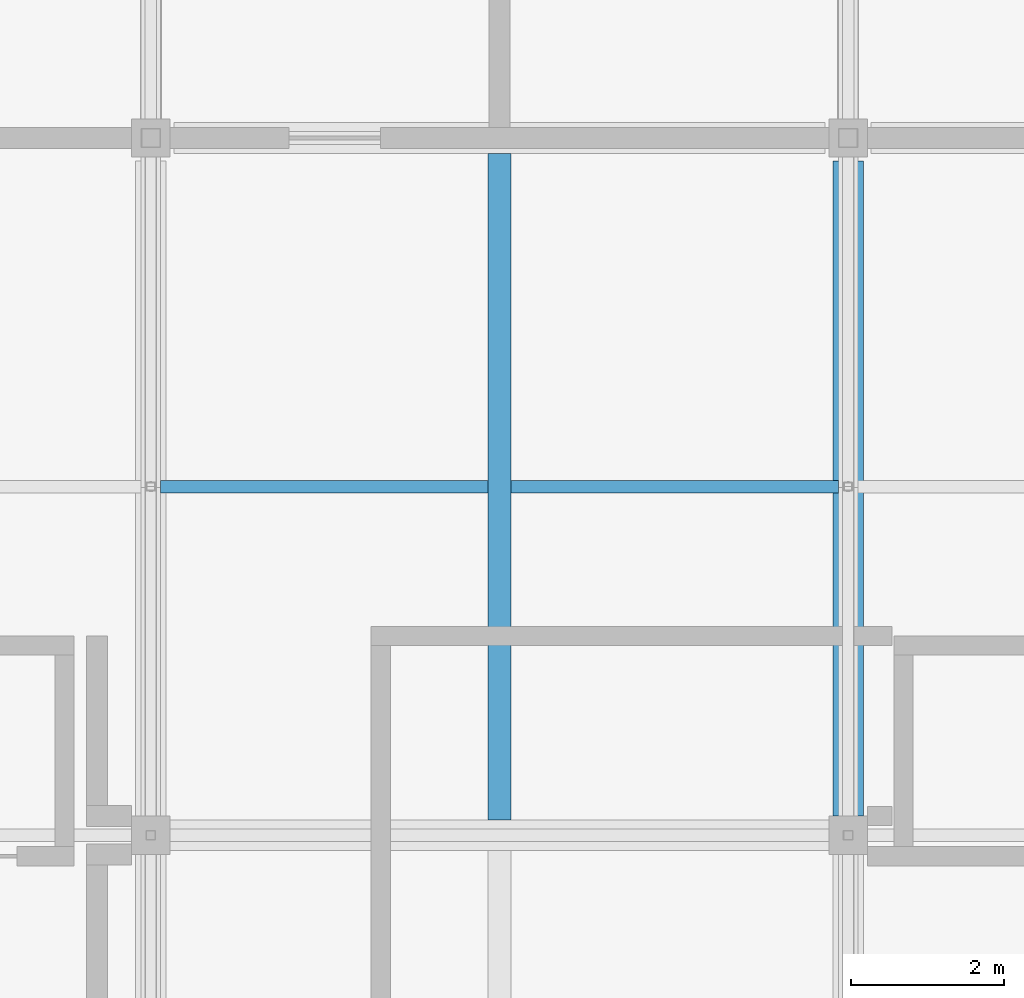
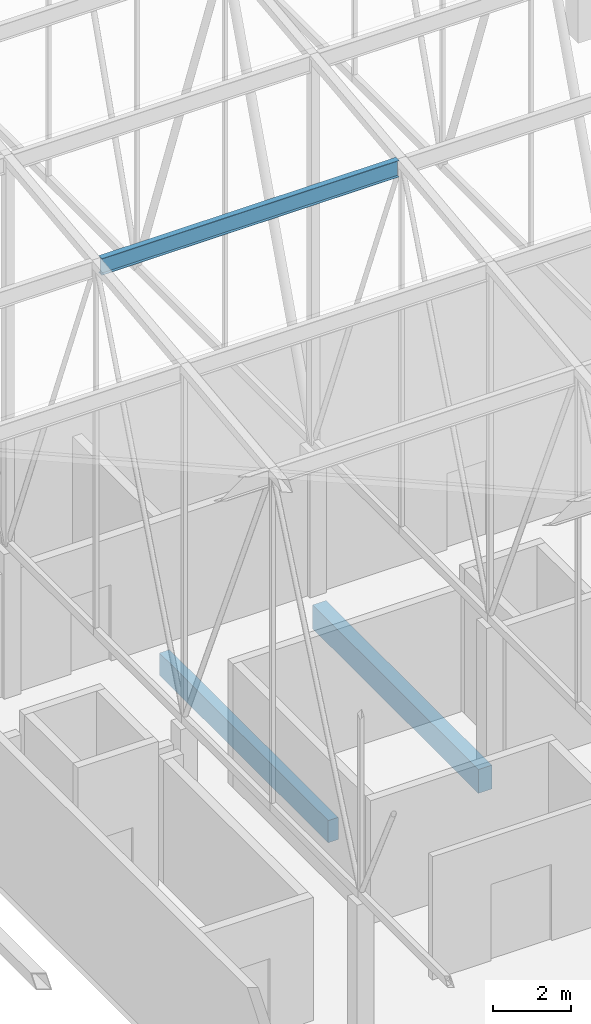
# One storey, part 154 of 500: 2 beams, 1 member.
"""IFC4 building model written with IfcOpenShell, lengths in metres."""

from ifc_helpers import new_model, si_unit, direction, frame, origin, origin_2d, place, context, subcontext, project, spatial, rectangle, i_section, extrude, material, material_profile, profile_set, type_object, element, save


model = new_model("IFC4")

# Units and contexts
model_context = context("Model", 3, precision=1e-05, world=origin(), true_north=direction((0.0, 1.0)))
body_context = subcontext(model_context, "Body", "Model", "MODEL_VIEW")
ifc_project = project(units=[si_unit("LENGTHUNIT", "METRE"), si_unit("AREAUNIT", "SQUARE_METRE"), si_unit("VOLUMEUNIT", "CUBIC_METRE"), si_unit("PLANEANGLEUNIT", "RADIAN"), si_unit("MASSUNIT", "GRAM", prefix="KILO")], contexts=[model_context])

# Site, building, storey
site_placement = place(None, origin())
site = spatial("IfcSite", under=ifc_project, at=site_placement, CompositionType="ELEMENT")
building_placement = place(site_placement, origin())
building = spatial("IfcBuilding", under=site, at=building_placement, Name="Shirokan Park Arena", CompositionType="ELEMENT")
storey_placement = place(building_placement, frame((0.0, 0.0, 29.1201171875)))
storey = spatial("IfcBuildingStorey", under=building, at=storey_placement, Name="L06", CompositionType="ELEMENT", Elevation=29.1201171875)

# Member
ifc_material_1 = material(Name="Steel ASTM A992", Category="steel")
ifc_material_profile_1 = material_profile(ifc_material_1, i_section(OverallWidth=0.166015625, OverallDepth=0.528076171875, WebThickness=0.009765625, FlangeThickness=0.013671875, at=origin_2d()), Name="W530X74")
ifc_profile_set_1 = profile_set([ifc_material_profile_1], Name="Steel ASTM A992")
member_type = type_object("IfcMemberType", Name="Purlin W530X74", PredefinedType="PURLIN", material=ifc_profile_set_1)
member_placement = place(storey_placement, frame((109.326904296875, 31.85009765625, 16.1259765625), z_axis=(1.0, 0.0, 0.0), x_axis=(0.0, 1.0, 0.0)))
element("IfcMember", 1, at=member_placement, inside=storey, type_object=member_type, Name="Purlin 10 bay 13", PredefinedType="PURLIN", context=body_context, shape_type="SweptSolid", body=[
    extrude(i_section(OverallWidth=0.166015625, OverallDepth=0.528076171875, WebThickness=0.009765625, FlangeThickness=0.013671875, at=origin_2d()), origin(), (0.0, 0.0, 1.0), 8.84619140625),
])

# Beams
ifc_material_2 = material(Name="Concrete C35", Category="concrete")
ifc_material_profile_2 = material_profile(ifc_material_2, rectangle(XDim=0.39990234375, YDim=0.75, at=origin_2d()), Name="400x750")
ifc_profile_set_2 = profile_set([ifc_material_profile_2], Name="Concrete C35")
beam_type_1 = type_object("IfcBeamType", Name="RC girder 400x750", PredefinedType="BEAM", material=ifc_profile_set_2)
beam_1_placement = place(storey_placement, frame((118.300048828125, 27.550048828125, -0.5751953125), z_axis=(0.0, 1.0, 0.0), x_axis=(-1.0, 0.0, 0.0)))
element("IfcBeam", 2, at=beam_1_placement, inside=storey, type_object=beam_type_1, Name="Girder 14D-14E L06", PredefinedType="BEAM", context=body_context, shape_type="SweptSolid", body=[
    extrude(rectangle(XDim=0.39990234375, YDim=0.75, at=origin_2d()), origin(), (0.0, 0.0, 1.0), 8.5498046875),
])
ifc_material_profile_3 = material_profile(ifc_material_2, rectangle(XDim=0.300048828125, YDim=0.699951171875, at=origin_2d()), Name="300x700")
ifc_profile_set_3 = profile_set([ifc_material_profile_3], Name="Concrete C35")
beam_type_2 = type_object("IfcBeamType", Name="RC joist 300x700", PredefinedType="JOIST", material=ifc_profile_set_3)
beam_2_placement = place(storey_placement, frame((113.75, 27.5, -0.550048828125), z_axis=(0.0, 1.0, 0.0), x_axis=(-1.0, 0.0, 0.0)))
element("IfcBeam", 3, at=beam_2_placement, inside=storey, type_object=beam_type_2, Name="Joist 13D L06", PredefinedType="JOIST", context=body_context, shape_type="SweptSolid", body=[
    extrude(rectangle(XDim=0.300048828125, YDim=0.699951171875, at=origin_2d()), origin(), (0.0, 0.0, 1.0), 8.699951171875),
])

save(model, "model.ifc")
